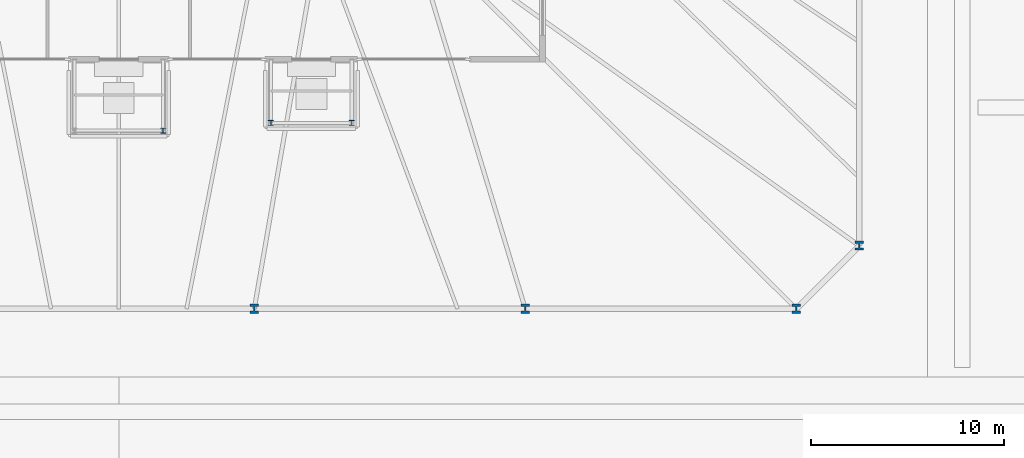
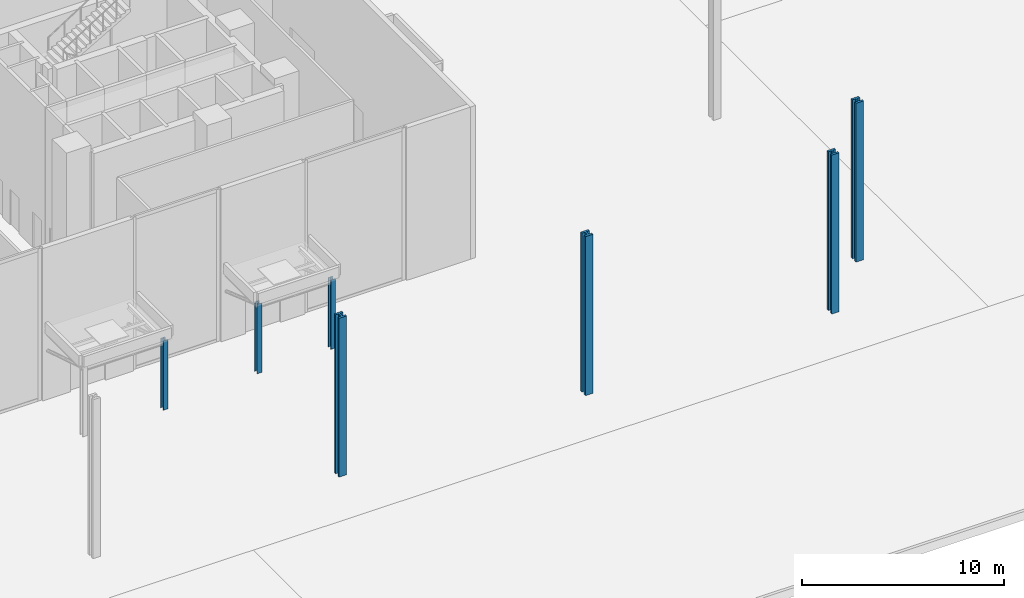
# One storey, part 5 of 24: 7 columns.
"""IFC4 building model written with IfcOpenShell, lengths in metres."""

from ifc_helpers import new_model, si_unit, direction, frame, origin, origin_2d, place, context, subcontext, project, spatial, i_section, extrude, material, material_profile, profile_set, type_object, element, save


model = new_model("IFC4")

# Units and contexts
model_context = context("Model", 3, precision=1e-05, world=origin(), true_north=direction((0.0, 1.0)))
body_context = subcontext(model_context, "Body", "Model", "MODEL_VIEW")
ifc_project = project(units=[si_unit("LENGTHUNIT", "METRE"), si_unit("AREAUNIT", "SQUARE_METRE"), si_unit("VOLUMEUNIT", "CUBIC_METRE"), si_unit("PLANEANGLEUNIT", "RADIAN"), si_unit("MASSUNIT", "GRAM", prefix="KILO")], contexts=[model_context])

# Site, building, storey
site_placement = place(None, origin())
site = spatial("IfcSite", under=ifc_project, at=site_placement, CompositionType="ELEMENT")
building_placement = place(site_placement, origin())
building = spatial("IfcBuilding", under=site, at=building_placement, Name="Menara Jurai Vektor", CompositionType="ELEMENT")
storey_placement = place(building_placement, origin())
storey = spatial("IfcBuildingStorey", under=building, at=storey_placement, Name="L00", CompositionType="ELEMENT", Elevation=0.0)

# Columns
ifc_material_1 = material(Name="Steel S355", Category="steel")
ifc_material_profile_1 = material_profile(ifc_material_1, i_section(OverallWidth=0.259033203125, OverallDepth=0.26708984375, WebThickness=0.012939453125, FlangeThickness=0.02099609375, FilletRadius=0.012939453125, at=origin_2d()), Name="UKC 254x254x107")
ifc_profile_set_1 = profile_set([ifc_material_profile_1], Name="Steel S355")
column_type_1 = type_object("IfcColumnType", Name="STR-COL-CANOPY", PredefinedType="COLUMN", material=ifc_profile_set_1)
for number, where, z_axis, x_axis, name in (
    (1, (2.300048828125, -15.199951171875, 0.0), (0.0, 0.0, 1.0), (1.0, 0.0, 0.0), "Entrance Canopy Column E2-2"),
    (2, (7.89990234375, -14.800048828125, 0.0), (0.0, 0.0, 1.0), (1.0, 0.0, 0.0), "Entrance Canopy Column E3-1"),
    (3, (12.10009765625, -14.800048828125, 0.0), (0.0, 0.0, 1.0), (1.0, 0.0, 0.0), "Entrance Canopy Column E3-2"),
):
    element("IfcColumn", number, at=place(storey_placement, frame(where, z_axis=z_axis, x_axis=x_axis)), inside=storey, type_object=column_type_1, Name=name, PredefinedType="COLUMN", context=body_context, shape_type="SweptSolid", body=[
        extrude(i_section(OverallWidth=0.259033203125, OverallDepth=0.26708984375, WebThickness=0.012939453125, FlangeThickness=0.02099609375, FilletRadius=0.012939453125, at=origin_2d()), origin(), (0.0, 0.0, 1.0), 4.199951171875),
    ])
ifc_material_2 = material(Name="Steel S460", Category="steel")
ifc_material_profile_2 = material_profile(ifc_material_2, i_section(OverallWidth=0.427978515625, OverallDepth=0.468994140625, WebThickness=0.077880859375, FlangeThickness=0.125, FilletRadius=0.014892578125, at=origin_2d()), Name="HD 400x1086")
ifc_profile_set_2 = profile_set([ifc_material_profile_2], Name="Steel S460")
column_type_2 = type_object("IfcColumnType", Name="STR-PILOTIS-HD1086", PredefinedType="USERDEFINED", material=ifc_profile_set_2)
for number, where, z_axis, x_axis, name in (
    (4, (7.03564453125, -24.449951171875, 0.0), (0.0, 0.0, 1.0), (1.0, 0.0, 0.0), "Open Pilotis Stilt Column PLT-S4 L00"),
    (5, (21.106689453125, -24.449951171875, 0.0), (0.0, 0.0, 1.0), (1.0, 0.0, 0.0), "Open Pilotis Stilt Column PLT-S5 L00"),
    (6, (35.177734375, -24.449951171875, 0.0), (0.0, 0.0, 1.0), (1.0, 0.0, 0.0), "Open Pilotis Stilt Column PLT-S6 L00"),
    (7, (38.449951171875, -21.177734375, 0.0), (0.0, 0.0, 1.0), (1.0, 0.0, 0.0), "Open Pilotis Stilt Column PLT-E1 L00"),
):
    element("IfcColumn", number, at=place(storey_placement, frame(where, z_axis=z_axis, x_axis=x_axis)), inside=storey, type_object=column_type_2, Name=name, ObjectType="PILOTIS", PredefinedType="USERDEFINED", context=body_context, shape_type="SweptSolid", body=[
        extrude(i_section(OverallWidth=0.427978515625, OverallDepth=0.468994140625, WebThickness=0.077880859375, FlangeThickness=0.125, FilletRadius=0.014892578125, at=origin_2d()), origin(), (0.0, 0.0, 1.0), 9.60009765625),
    ])

save(model, "model.ifc")
